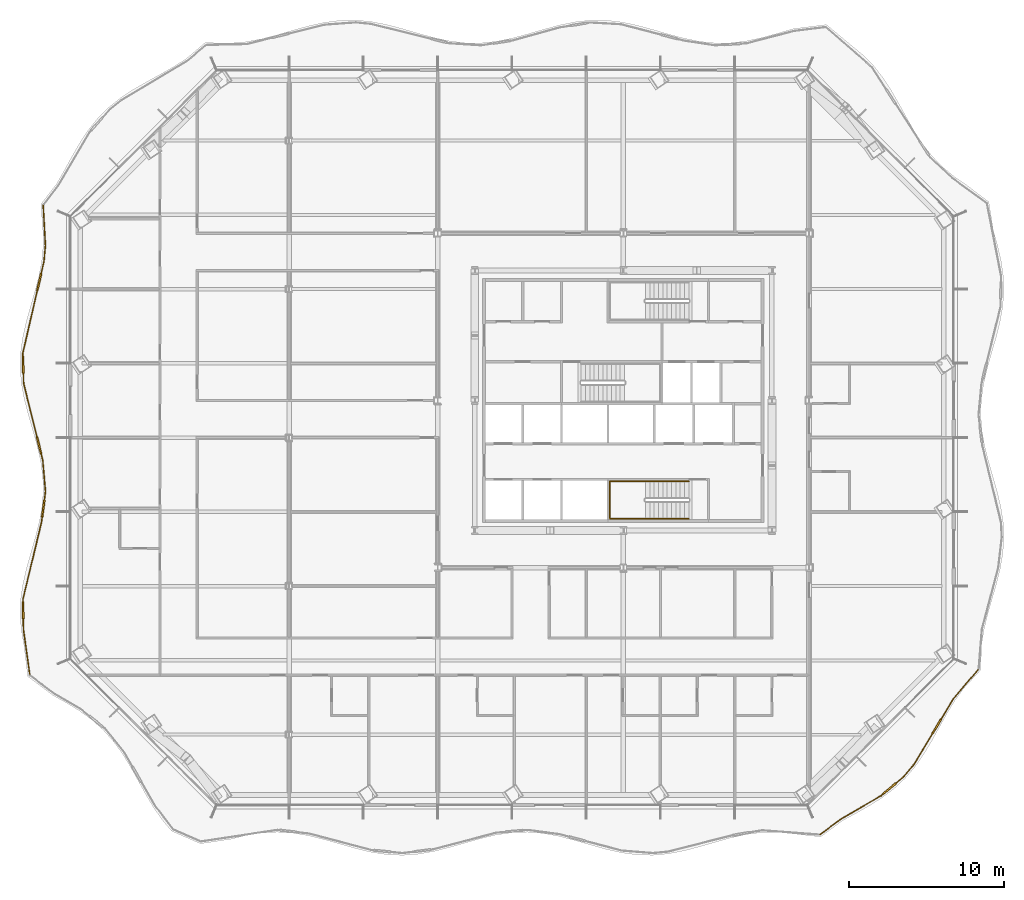
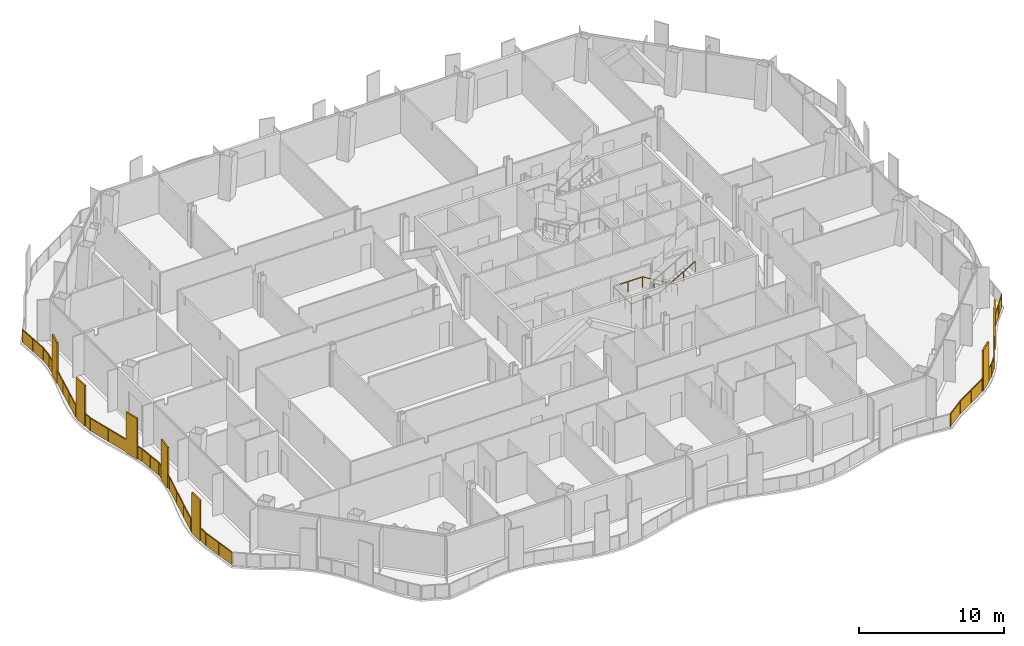
# One storey, part 16 of 20: 3 railings.
"""IFC4 building model written with IfcOpenShell, lengths in metres."""

import ifcopenshell
import ifcopenshell.guid

model = None  # the IFC model being written
_history = None  # IfcOwnerHistory: only IFC2X3 demands one
_inside = {}  # id of a spatial element -> (the spatial element, [elements in it])
_under = {}  # id of a project, library or spatial element -> (it, [spatial elements below it])
_declared = {}  # id of a project -> (the project, [libraries it declares])
_typed = {}  # id of a type object -> (the type object, [elements of that type])
_made_of = {}  # id of a material, layer set ... -> (it, [elements and type objects made of it])


def new_model(schema):
    """Start an empty IFC model of exactly this schema.

    Asked for "IFC4X3", IfcOpenShell would pick the latest addendum, in which some entities
    have other attributes; the version numbers below select the first issue.
    IFC2X3 requires an IfcOwnerHistory on every rooted entity: one is made here for all.
    """
    global model, _history
    if schema == "IFC4X3":
        model = ifcopenshell.file(schema_version=(4, 3, 0, 0))
    else:
        model = ifcopenshell.file(schema=schema)
    _inside.clear()
    _under.clear()
    _declared.clear()
    _typed.clear()
    _made_of.clear()
    _history = None
    if model.schema == "IFC2X3":
        org = make("IfcOrganization", Name="unknown")
        user = make(
            "IfcPersonAndOrganization",
            ThePerson=make("IfcPerson", FamilyName="unknown"),
            TheOrganization=org,
        )
        app = make(
            "IfcApplication",
            ApplicationDeveloper=org,
            Version="unknown",
            ApplicationFullName="unknown",
            ApplicationIdentifier="unknown",
        )
        _history = make(
            "IfcOwnerHistory",
            OwningUser=user,
            OwningApplication=app,
            ChangeAction="ADDED",
            CreationDate=0,
        )
    return model


def make(cls, **values):
    """One entity of the class cls with the attributes given. An attribute that is None is left unset."""
    return model.create_entity(
        cls, **{name: value for name, value in values.items() if value is not None}
    )


def rooted(cls, **values):
    """An entity with a GlobalId (a new one), such as an element, a storey or a relation."""
    return make(cls, GlobalId=ifcopenshell.guid.new(), OwnerHistory=_history, **values)


def si_unit(unit_type, name, prefix=None):
    """IfcSIUnit, for example si_unit("LENGTHUNIT", "METRE", prefix="MILLI")."""
    return make("IfcSIUnit", UnitType=unit_type, Prefix=prefix, Name=name)


def assignment(units):
    """IfcUnitAssignment: the units of a project."""
    return None if units is None else make("IfcUnitAssignment", Units=units)


def point(xyz):
    """IfcCartesianPoint."""
    return None if xyz is None else make("IfcCartesianPoint", Coordinates=xyz)


def direction(xyz):
    """IfcDirection."""
    return None if xyz is None else make("IfcDirection", DirectionRatios=xyz)


def frame(location, z_axis=None, x_axis=None):
    """IfcAxis2Placement3D, a coordinate frame: its origin and axes. An axis left out is left unset."""
    return make(
        "IfcAxis2Placement3D",
        Location=point(location),
        Axis=direction(z_axis),
        RefDirection=direction(x_axis),
    )


def frame_2d(location, x_axis=None):
    """IfcAxis2Placement2D, a coordinate frame in the plane: its origin and x axis."""
    return make(
        "IfcAxis2Placement2D", Location=point(location), RefDirection=direction(x_axis)
    )


def origin():
    """The frame at (0, 0, 0) with its axes left unset."""
    return frame((0.0, 0.0, 0.0))


def origin_2d():
    """The frame at (0, 0) in the plane with its x axis left unset."""
    return frame_2d((0.0, 0.0))


def place(relative_to, where):
    """IfcLocalPlacement: puts the frame where relative to a parent placement (None: the world)."""
    return make(
        "IfcLocalPlacement", PlacementRelTo=relative_to, RelativePlacement=where
    )


def context(
    kind, dimensions, precision=None, world=None, true_north=None, identifier=None
):
    """IfcGeometricRepresentationContext, for example the 3D "Model" context."""
    return make(
        "IfcGeometricRepresentationContext",
        ContextIdentifier=identifier,
        ContextType=kind,
        CoordinateSpaceDimension=dimensions,
        Precision=precision,
        WorldCoordinateSystem=world,
        TrueNorth=true_north,
    )


def subcontext(parent, identifier, kind, view, scale=None):
    """IfcGeometricRepresentationSubContext, for example "Body" below "Model"."""
    return make(
        "IfcGeometricRepresentationSubContext",
        ContextIdentifier=identifier,
        ContextType=kind,
        ParentContext=parent,
        TargetScale=scale,
        TargetView=view,
    )


def project(units=None, contexts=None):
    """IfcProject with its units and contexts."""
    return rooted(
        "IfcProject",
        Name="project",
        RepresentationContexts=contexts,
        UnitsInContext=assignment(units),
    )


def spatial(cls, under=None, at=None, **own):
    """A site, building, storey or space (cls), placed at a placement, below another one or the project."""
    s = rooted(cls, ObjectPlacement=at, **own)
    if under is not None:
        _under.setdefault(under.id(), (under, []))[1].append(s)
    return s


def polyline(points):
    """IfcPolyline through the points."""
    return make("IfcPolyline", Points=[point(p) for p in points])


def profile(cls, at=None, kind="AREA", **sizes):
    """A parametric profile (cls). Its sizes go by their IFC names, for example OverallWidth=200.0."""
    return make(cls, ProfileType=kind, Position=at, **sizes)


def rectangle(**sizes):
    """IfcRectangleProfileDef."""
    return profile("IfcRectangleProfileDef", **sizes)


def outline(outer, holes=None, kind="AREA"):
    """IfcArbitraryClosedProfileDef: a profile drawn as a closed curve; with holes, ...WithVoids."""
    if holes is None:
        return make("IfcArbitraryClosedProfileDef", ProfileType=kind, OuterCurve=outer)
    return make(
        "IfcArbitraryProfileDefWithVoids",
        ProfileType=kind,
        OuterCurve=outer,
        InnerCurves=holes,
    )


def extrude(swept, where, along, depth):
    """IfcExtrudedAreaSolid: the profile swept, set in the frame where, extruded along a direction by depth."""
    return make(
        "IfcExtrudedAreaSolid",
        SweptArea=swept,
        Position=where,
        ExtrudedDirection=direction(along),
        Depth=depth,
    )


def shape(context_of_items, identifier, shape_type, items):
    """IfcShapeRepresentation: the items that make up one representation, for example the "Body"."""
    return make(
        "IfcShapeRepresentation",
        ContextOfItems=context_of_items,
        RepresentationIdentifier=identifier,
        RepresentationType=shape_type,
        Items=items,
    )


def material(Name=None, Category=None):
    """IfcMaterial."""
    return make("IfcMaterial", Name=Name, Category=Category)


def made_of(thing, what):
    """Note that an element or type object is made of a material, layer set ...; save() writes the relation."""
    if what is not None:
        _made_of.setdefault(what.id(), (what, []))[1].append(thing)
    return thing


def type_object(cls, material=None, **own):
    """A type object (cls), such as IfcWallType, which elements share."""
    return made_of(rooted(cls, **own), material)


def element(
    cls,
    number,
    at=None,
    inside=None,
    cuts=None,
    type_object=None,
    material=None,
    context=None,
    identifier="Body",
    shape_type=None,
    held_by="IfcProductDefinitionShape",
    body=None,
    shapes=None,
    **own,
):
    """One element of the class cls, such as IfcWall. Its Tag is "e" and its number.

    at: its placement. inside: the storey or other place that contains it. cuts: it is an
    opening in that element (IfcRelVoidsElement). A single representation is given by context,
    identifier, shape_type and body (its items); several are given by shapes. held_by: the class
    of the entity that holds the representations. save() writes the other relations.
    """
    e = rooted(cls, Tag="e%d" % number, ObjectPlacement=at, **own)
    if body is not None:
        shapes = [shape(context, identifier, shape_type, body)]
    if shapes is not None:
        e.Representation = make(held_by, Representations=shapes)
    if inside is not None:
        _inside.setdefault(inside.id(), (inside, []))[1].append(e)
    if cuts is not None:
        rooted(
            "IfcRelVoidsElement", RelatingBuildingElement=cuts, RelatedOpeningElement=e
        )
    if type_object is not None:
        _typed.setdefault(type_object.id(), (type_object, []))[1].append(e)
    return made_of(e, material)


def aggregate(whole, parts):
    """IfcRelAggregates: a whole, such as a stair, and the parts it consists of."""
    return rooted("IfcRelAggregates", RelatingObject=whole, RelatedObjects=parts)


def save(model, path):
    """Write the relations noted so far, then the file.

    IfcRelAggregates (storeys below a building ...), IfcRelContainedInSpatialStructure (elements
    in a storey), IfcRelDefinesByType, IfcRelAssociatesMaterial and IfcRelDeclares: one each for
    every whole, place, type object, material and project.
    """
    for whole, parts in _under.values():
        aggregate(whole, parts)
    for where, things in _inside.values():
        rooted(
            "IfcRelContainedInSpatialStructure",
            RelatedElements=things,
            RelatingStructure=where,
        )
    for kind, things in _typed.values():
        rooted("IfcRelDefinesByType", RelatedObjects=things, RelatingType=kind)
    for what, things in _made_of.values():
        rooted("IfcRelAssociatesMaterial", RelatedObjects=things, RelatingMaterial=what)
    for by, libraries in _declared.values():
        rooted("IfcRelDeclares", RelatingContext=by, RelatedDefinitions=libraries)
    model.write(path)


model = new_model("IFC4")

# Units and contexts
model_context = context("Model", 3, precision=1e-05, world=origin(), true_north=direction((0.0, 1.0)))
body_context = subcontext(model_context, "Body", "Model", "MODEL_VIEW")
ifc_project = project(units=[si_unit("LENGTHUNIT", "METRE"), si_unit("AREAUNIT", "SQUARE_METRE"), si_unit("VOLUMEUNIT", "CUBIC_METRE"), si_unit("PLANEANGLEUNIT", "RADIAN"), si_unit("MASSUNIT", "GRAM", prefix="KILO")], contexts=[model_context])

# Site, building, storey
site_placement = place(None, origin())
site = spatial("IfcSite", under=ifc_project, at=site_placement, CompositionType="ELEMENT")
building_placement = place(site_placement, origin())
building = spatial("IfcBuilding", under=site, at=building_placement, Name="Cairn Pilgrim Tower", CompositionType="ELEMENT")
storey_placement = place(building_placement, frame((0.0, 0.0, 87.0)))
storey = spatial("IfcBuildingStorey", under=building, at=storey_placement, Name="L20", CompositionType="ELEMENT", Elevation=87.0)

# Railings
ifc_material_1 = material(Name="Bronze anodised aluminium rail, posts and fin screens with laminated glass infill", Category="aluminium")
railing_type_1 = type_object("IfcRailingType", Name="BALCONY GUARD WITH FIN SCREENS", PredefinedType="GUARDRAIL", material=ifc_material_1)
railing_1_placement = place(storey_placement, frame((19.905029296875, -25.6552734375, 0.0)))
element("IfcRailing", 1, at=railing_1_placement, inside=storey, type_object=railing_type_1, Name="Balcony guard BGF-2 with fin screens", PredefinedType="GUARDRAIL", context=body_context, shape_type="SweptSolid", body=[
    extrude(rectangle(XDim=0.050048828125, YDim=0.050048828125, at=origin_2d()), frame((0.0, 0.0, 1.0751953125), z_axis=(0.803950989121, 0.594695558326, 0.0), x_axis=(-0.594695558326, 0.803950989121, 0.0)), (0.0, 0.0, 1.0), 1.690673828125),
    extrude(rectangle(XDim=0.050048828125, YDim=0.050048828125, at=origin_2d()), frame((1.359130859375, 1.00537109375, 1.0751953125), z_axis=(0.864320719994, 0.502941043253, 0.0), x_axis=(-0.502941043253, 0.864320719994, 0.0)), (0.0, 0.0, 1.0), 3.00439453125),
    extrude(rectangle(XDim=1.10009765625, YDim=0.110107421875, at=origin_2d()), frame((4.490234375, 2.968505859375, 0.0), z_axis=(0.0, 0.0, 1.0), x_axis=(0.76350197981, 0.645805486835, 0.0)), (0.0, 0.0, 1.0), 3.39990234375),
    extrude(rectangle(XDim=0.050048828125, YDim=0.050048828125, at=origin_2d()), frame((3.955810546875, 2.516357421875, 1.0751953125), z_axis=(0.76350197981, 0.645805486835, 0.0), x_axis=(-0.645805486835, 0.76350197981, 0.0)), (0.0, 0.0, 1.0), 0.150146484375),
    extrude(rectangle(XDim=0.050048828125, YDim=0.050048828125, at=origin_2d()), frame((4.91015625, 3.32373046875, 1.0751953125), z_axis=(0.76350197981, 0.645805486835, 0.0), x_axis=(-0.645805486835, 0.76350197981, 0.0)), (0.0, 0.0, 1.0), 0.6708984375),
    extrude(rectangle(XDim=0.050048828125, YDim=0.050048828125, at=origin_2d()), frame((5.42236328125, 3.7568359375, 1.0751953125), z_axis=(0.648604602587, 0.761125528085, 0.0), x_axis=(-0.761125528085, 0.648604602587, 0.0)), (0.0, 0.0, 1.0), 0.9482421875),
    extrude(rectangle(XDim=1.10009765625, YDim=0.110107421875, at=origin_2d()), frame((7.539794921875, 6.977783203125, 0.0), z_axis=(0.0, 0.0, 1.0), x_axis=(0.515228467173, 0.857052872706, 0.0)), (0.0, 0.0, 1.0), 3.39990234375),
    extrude(rectangle(XDim=0.050048828125, YDim=0.050048828125, at=origin_2d()), frame((6.037353515625, 4.478515625, 1.0751953125), z_axis=(0.515228467173, 0.857052872706, 0.0), x_axis=(-0.857052872706, 0.515228467173, 0.0)), (0.0, 0.0, 1.0), 2.365966796875),
    extrude(rectangle(XDim=0.050048828125, YDim=0.050048828125, at=origin_2d()), frame((7.8232421875, 7.448974609375, 1.0751953125), z_axis=(0.515228467173, 0.857052872706, 0.0), x_axis=(-0.857052872706, 0.515228467173, 0.0)), (0.0, 0.0, 1.0), 1.53076171875),
    extrude(rectangle(XDim=0.050048828125, YDim=0.050048828125, at=origin_2d()), frame((8.61181640625, 8.760986328125, 1.0751953125), z_axis=(0.646366879068, 0.763026773871, 0.0), x_axis=(-0.763026773871, 0.646366879068, 0.0)), (0.0, 0.0, 1.0), 2.4736328125),
    extrude(rectangle(XDim=0.050048828125, YDim=0.050048828125, at=origin_2d()), origin(), (0.0, 0.0, 1.0), 1.050048828125),
    extrude(rectangle(XDim=0.050048828125, YDim=0.050048828125, at=origin_2d()), frame((1.359130859375, 1.00537109375, 0.0)), (0.0, 0.0, 1.0), 1.050048828125),
    extrude(rectangle(XDim=0.050048828125, YDim=0.050048828125, at=origin_2d()), frame((2.657470703125, 1.7607421875, 0.0)), (0.0, 0.0, 1.0), 1.050048828125),
    extrude(rectangle(XDim=0.050048828125, YDim=0.050048828125, at=origin_2d()), frame((3.955810546875, 2.516357421875, 0.0)), (0.0, 0.0, 1.0), 1.050048828125),
    extrude(rectangle(XDim=0.050048828125, YDim=0.050048828125, at=origin_2d()), frame((4.05126953125, 2.59716796875, 0.0)), (0.0, 0.0, 1.0), 1.050048828125),
    extrude(rectangle(XDim=0.050048828125, YDim=0.050048828125, at=origin_2d()), frame((4.92919921875, 3.33984375, 0.0)), (0.0, 0.0, 1.0), 1.050048828125),
    extrude(rectangle(XDim=0.050048828125, YDim=0.050048828125, at=origin_2d()), frame((5.42236328125, 3.7568359375, 0.0)), (0.0, 0.0, 1.0), 1.050048828125),
    extrude(rectangle(XDim=0.050048828125, YDim=0.050048828125, at=origin_2d()), frame((6.037353515625, 4.478515625, 0.0)), (0.0, 0.0, 1.0), 1.050048828125),
    extrude(rectangle(XDim=0.050048828125, YDim=0.050048828125, at=origin_2d()), frame((6.640380859375, 5.481689453125, 0.0)), (0.0, 0.0, 1.0), 1.050048828125),
    extrude(rectangle(XDim=0.050048828125, YDim=0.050048828125, at=origin_2d()), frame((7.243408203125, 6.48486328125, 0.0)), (0.0, 0.0, 1.0), 1.050048828125),
    extrude(rectangle(XDim=0.050048828125, YDim=0.050048828125, at=origin_2d()), frame((7.8359375, 7.470458984375, 0.0)), (0.0, 0.0, 1.0), 1.050048828125),
    extrude(rectangle(XDim=0.050048828125, YDim=0.050048828125, at=origin_2d()), frame((8.61181640625, 8.760986328125, 0.0)), (0.0, 0.0, 1.0), 1.050048828125),
    extrude(rectangle(XDim=0.050048828125, YDim=0.050048828125, at=origin_2d()), frame((9.4111328125, 9.70458984375, 0.0)), (0.0, 0.0, 1.0), 1.050048828125),
    extrude(rectangle(XDim=0.050048828125, YDim=0.050048828125, at=origin_2d()), frame((10.210693359375, 10.6484375, 0.0)), (0.0, 0.0, 1.0), 1.050048828125),
    extrude(outline(polyline([(0.02490234375, 0.0), (1.66552734375, 0.0), (1.66552734375, 1.050048828125), (0.02490234375, 1.050048828125), (0.02490234375, 0.0)])), frame((-0.003662109375, 0.0048828125, 0.0), z_axis=(0.594695558326, -0.803950989121, 0.0), x_axis=(0.803950989121, 0.594695558326, 0.0)), (0.0, 0.0, 1.0), 0.011962890625),
    extrude(outline(polyline([(0.02490234375, 0.0), (1.47705078125, 0.0), (1.47705078125, 1.050048828125), (0.02490234375, 1.050048828125), (0.02490234375, 0.0)])), frame((1.356201171875, 1.010498046875, 0.0), z_axis=(0.502941043253, -0.864320719994, 0.0), x_axis=(0.864320719994, 0.502941043253, 0.0)), (0.0, 0.0, 1.0), 0.011962890625),
    extrude(outline(polyline([(0.02490234375, 0.0), (1.47705078125, 0.0), (1.47705078125, 1.050048828125), (0.02490234375, 1.050048828125), (0.02490234375, 0.0)])), frame((2.654541015625, 1.76611328125, 0.0), z_axis=(0.502941043253, -0.864320719994, 0.0), x_axis=(0.864320719994, 0.502941043253, 0.0)), (0.0, 0.0, 1.0), 0.011962890625),
    extrude(outline(polyline([(0.02490234375, 0.0), (0.10009765625, 0.0), (0.10009765625, 1.050048828125), (0.02490234375, 1.050048828125), (0.02490234375, 0.0)])), frame((3.951904296875, 2.52099609375, 0.0), z_axis=(0.645805486835, -0.76350197981, 0.0), x_axis=(0.76350197981, 0.645805486835, 0.0)), (0.0, 0.0, 1.0), 0.011962890625),
    extrude(outline(polyline([(0.02490234375, 0.0), (0.620849609375, 0.0), (0.620849609375, 1.050048828125), (0.02490234375, 1.050048828125), (0.02490234375, 0.0)])), frame((4.925537109375, 3.344482421875, 0.0), z_axis=(0.645805486835, -0.76350197981, 0.0), x_axis=(0.76350197981, 0.645805486835, 0.0)), (0.0, 0.0, 1.0), 0.011962890625),
    extrude(outline(polyline([(0.02490234375, 0.0), (0.923095703125, 0.0), (0.923095703125, 1.050048828125), (0.02490234375, 1.050048828125), (0.02490234375, 0.0)])), frame((5.417724609375, 3.7607421875, 0.0), z_axis=(0.761125528085, -0.648604602587, 0.0), x_axis=(0.648604602587, 0.761125528085, 0.0)), (0.0, 0.0, 1.0), 0.011962890625),
    extrude(outline(polyline([(0.02490234375, 0.0), (1.1455078125, 0.0), (1.1455078125, 1.050048828125), (0.02490234375, 1.050048828125), (0.02490234375, 0.0)])), frame((6.0322265625, 4.481689453125, 0.0), z_axis=(0.857052872706, -0.515228467173, 0.0), x_axis=(0.515228467173, 0.857052872706, 0.0)), (0.0, 0.0, 1.0), 0.011962890625),
    extrude(outline(polyline([(0.02490234375, 0.0), (1.1455078125, 0.0), (1.1455078125, 1.050048828125), (0.02490234375, 1.050048828125), (0.02490234375, 0.0)])), frame((6.63525390625, 5.48486328125, 0.0), z_axis=(0.857052872706, -0.515228467173, 0.0), x_axis=(0.515228467173, 0.857052872706, 0.0)), (0.0, 0.0, 1.0), 0.011962890625),
    extrude(outline(polyline([(0.02490234375, 0.0), (1.480712890625, 0.0), (1.480712890625, 1.050048828125), (0.02490234375, 1.050048828125), (0.02490234375, 0.0)])), frame((7.830810546875, 7.4736328125, 0.0), z_axis=(0.857052872706, -0.515228467173, 0.0), x_axis=(0.515228467173, 0.857052872706, 0.0)), (0.0, 0.0, 1.0), 0.011962890625),
    extrude(outline(polyline([(0.02490234375, 0.0), (1.2119140625, 0.0), (1.2119140625, 1.050048828125), (0.02490234375, 1.050048828125), (0.02490234375, 0.0)])), frame((8.607177734375, 8.764892578125, 0.0), z_axis=(0.763026773871, -0.646366879068, 0.0), x_axis=(0.646366879068, 0.763026773871, 0.0)), (0.0, 0.0, 1.0), 0.011962890625),
    extrude(outline(polyline([(0.02490234375, 0.0), (1.2119140625, 0.0), (1.2119140625, 1.050048828125), (0.02490234375, 1.050048828125), (0.02490234375, 0.0)])), frame((9.40673828125, 9.70849609375, 0.0), z_axis=(0.763026773871, -0.646366879068, 0.0), x_axis=(0.646366879068, 0.763026773871, 0.0)), (0.0, 0.0, 1.0), 0.011962890625),
])
railing_2_placement = place(storey_placement, frame((-30.302734375, 15.038330078125, 0.0)))
element("IfcRailing", 2, at=railing_2_placement, inside=storey, type_object=railing_type_1, Name="Balcony guard BGF-7 with fin screens", PredefinedType="GUARDRAIL", context=body_context, shape_type="SweptSolid", body=[
    extrude(rectangle(XDim=0.050048828125, YDim=0.050048828125, at=origin_2d()), frame((0.0, 0.0, 1.0751953125), z_axis=(0.056040406558, -0.998428501613, 0.0), x_axis=(0.998428501613, 0.056040406558, 0.0)), (0.0, 0.0, 1.0), 2.63134765625),
    extrude(rectangle(XDim=0.050048828125, YDim=0.050048828125, at=origin_2d()), frame((0.1474609375, -2.627197265625, 1.0751953125), z_axis=(-0.091573175168, -0.995798349863, 0.0), x_axis=(0.995798349863, -0.091573175168, 0.0)), (0.0, 0.0, 1.0), 1.0185546875),
    extrude(rectangle(XDim=1.10009765625, YDim=0.110107421875, at=origin_2d()), frame((-0.253173828125, -4.9765625, 0.0), z_axis=(0.0, 0.0, 1.0), x_axis=(-0.224409735924, -0.974494879629, 0.0)), (0.0, 0.0, 1.0), 3.39990234375),
    extrude(rectangle(XDim=0.050048828125, YDim=0.050048828125, at=origin_2d()), frame((0.05419921875, -3.641357421875, 1.0751953125), z_axis=(-0.224409735924, -0.974494879629, 0.0), x_axis=(0.974494879629, -0.224409735924, 0.0)), (0.0, 0.0, 1.0), 0.820068359375),
    extrude(rectangle(XDim=0.050048828125, YDim=0.050048828125, at=origin_2d()), frame((-0.376708984375, -5.512451171875, 1.0751953125), z_axis=(-0.224409735924, -0.974494879629, 0.0), x_axis=(0.974494879629, -0.224409735924, 0.0)), (0.0, 0.0, 1.0), 4.185302734375),
    extrude(rectangle(XDim=1.10009765625, YDim=0.110107421875, at=origin_2d()), frame((-1.29443359375, -10.32763671875, 0.0), z_axis=(0.0, 0.0, 1.0), x_axis=(0.029270396453, -0.999571530153, 0.0)), (0.0, 0.0, 1.0), 3.39990234375),
    extrude(rectangle(XDim=0.050048828125, YDim=0.050048828125, at=origin_2d()), frame((-1.31591796875, -9.591064453125, 1.0751953125), z_axis=(0.029270396453, -0.999571530153, 0.0), x_axis=(0.999571530153, 0.029270396453, 0.0)), (0.0, 0.0, 1.0), 0.18701171875),
    extrude(rectangle(XDim=0.050048828125, YDim=0.050048828125, at=origin_2d()), frame((-1.2783203125, -10.87744140625, 1.0751953125), z_axis=(0.029270396453, -0.999571530153, 0.0), x_axis=(0.999571530153, 0.029270396453, 0.0)), (0.0, 0.0, 1.0), 0.664794921875),
    extrude(rectangle(XDim=1.10009765625, YDim=0.110107421875, at=origin_2d()), frame((-0.264404296875, -15.5400390625, 0.0), z_axis=(0.0, 0.0, 1.0), x_axis=(0.241355607286, -0.970436742313, 0.0)), (0.0, 0.0, 1.0), 3.39990234375),
    extrude(rectangle(XDim=0.050048828125, YDim=0.050048828125, at=origin_2d()), frame((-1.2587890625, -11.5419921875, 1.0751953125), z_axis=(0.241355607286, -0.970436742313, 0.0), x_axis=(0.970436742313, 0.241355607286, 0.0)), (0.0, 0.0, 1.0), 3.56982421875),
    extrude(rectangle(XDim=0.050048828125, YDim=0.050048828125, at=origin_2d()), frame((-0.131591796875, -16.07373046875, 1.0751953125), z_axis=(0.241355607286, -0.970436742313, 0.0), x_axis=(0.970436742313, 0.241355607286, 0.0)), (0.0, 0.0, 1.0), 0.4423828125),
    extrude(rectangle(XDim=0.050048828125, YDim=0.050048828125, at=origin_2d()), frame((-0.02490234375, -16.503173828125, 1.0751953125), z_axis=(0.087062094713, -0.996202886798, 0.0), x_axis=(0.996202886798, 0.087062094713, 0.0)), (0.0, 0.0, 1.0), 2.021728515625),
    extrude(rectangle(XDim=1.10009765625, YDim=0.110107421875, at=origin_2d()), frame((0.0087890625, -19.611328125, 0.0), z_axis=(0.0, 0.0, 1.0), x_axis=(-0.12908693107, -0.991633281121, 0.0)), (0.0, 0.0, 1.0), 3.39990234375),
    extrude(rectangle(XDim=0.050048828125, YDim=0.050048828125, at=origin_2d()), frame((0.151123046875, -18.517333984375, 1.0751953125), z_axis=(-0.12908693107, -0.991633281121, 0.0), x_axis=(0.991633281121, -0.12908693107, 0.0)), (0.0, 0.0, 1.0), 0.55322265625),
    extrude(rectangle(XDim=0.050048828125, YDim=0.050048828125, at=origin_2d()), frame((-0.062255859375, -20.15673828125, 1.0751953125), z_axis=(-0.12908693107, -0.991633281121, 0.0), x_axis=(0.991633281121, -0.12908693107, 0.0)), (0.0, 0.0, 1.0), 0.374267578125),
    extrude(rectangle(XDim=0.050048828125, YDim=0.050048828125, at=origin_2d()), frame((-0.110595703125, -20.52783203125, 1.0751953125), z_axis=(-0.234570295902, -0.972099159695, 0.0), x_axis=(0.972099159695, -0.234570295902, 0.0)), (0.0, 0.0, 1.0), 5.0966796875),
    extrude(rectangle(XDim=1.10009765625, YDim=0.110107421875, at=origin_2d()), frame((-1.29443359375, -26.182373046875, 0.0), z_axis=(0.0, 0.0, 1.0), x_axis=(0.016830533433, -0.999858356541, 0.0)), (0.0, 0.0, 1.0), 3.39990234375),
    extrude(rectangle(XDim=0.050048828125, YDim=0.050048828125, at=origin_2d()), frame((-1.30615234375, -25.482421875, 1.0751953125), z_axis=(0.016830533433, -0.999858356541, 0.0), x_axis=(0.999858356541, 0.016830533433, 0.0)), (0.0, 0.0, 1.0), 0.150146484375),
    extrude(rectangle(XDim=0.050048828125, YDim=0.050048828125, at=origin_2d()), frame((-1.28515625, -26.732421875, 1.0751953125), z_axis=(0.016830533433, -0.999858356541, 0.0), x_axis=(0.999858356541, 0.016830533433, 0.0)), (0.0, 0.0, 1.0), 0.708251953125),
    extrude(rectangle(XDim=0.050048828125, YDim=0.050048828125, at=origin_2d()), frame((-1.273193359375, -27.4404296875, 1.0751953125), z_axis=(0.139010200771, -0.990290949207, 0.0), x_axis=(0.990290949207, 0.139010200771, 0.0)), (0.0, 0.0, 1.0), 2.920654296875),
    extrude(rectangle(XDim=0.050048828125, YDim=0.050048828125, at=origin_2d()), origin(), (0.0, 0.0, 1.0), 1.050048828125),
    extrude(rectangle(XDim=0.050048828125, YDim=0.050048828125, at=origin_2d()), frame((0.07373046875, -1.3134765625, 0.0)), (0.0, 0.0, 1.0), 1.050048828125),
    extrude(rectangle(XDim=0.050048828125, YDim=0.050048828125, at=origin_2d()), frame((0.1474609375, -2.627197265625, 0.0)), (0.0, 0.0, 1.0), 1.050048828125),
    extrude(rectangle(XDim=0.050048828125, YDim=0.050048828125, at=origin_2d()), frame((0.05419921875, -3.641357421875, 0.0)), (0.0, 0.0, 1.0), 1.050048828125),
    extrude(rectangle(XDim=0.050048828125, YDim=0.050048828125, at=origin_2d()), frame((-0.124267578125, -4.416015625, 0.0)), (0.0, 0.0, 1.0), 1.050048828125),
    extrude(rectangle(XDim=0.050048828125, YDim=0.050048828125, at=origin_2d()), frame((-0.38232421875, -5.536865234375, 0.0)), (0.0, 0.0, 1.0), 1.050048828125),
    extrude(rectangle(XDim=0.050048828125, YDim=0.050048828125, at=origin_2d()), frame((-0.693603515625, -6.88818359375, 0.0)), (0.0, 0.0, 1.0), 1.050048828125),
    extrude(rectangle(XDim=0.050048828125, YDim=0.050048828125, at=origin_2d()), frame((-1.004638671875, -8.23974609375, 0.0)), (0.0, 0.0, 1.0), 1.050048828125),
    extrude(rectangle(XDim=0.050048828125, YDim=0.050048828125, at=origin_2d()), frame((-1.31591796875, -9.591064453125, 0.0)), (0.0, 0.0, 1.0), 1.050048828125),
    extrude(rectangle(XDim=0.050048828125, YDim=0.050048828125, at=origin_2d()), frame((-1.311279296875, -9.7529296875, 0.0)), (0.0, 0.0, 1.0), 1.050048828125),
    extrude(rectangle(XDim=0.050048828125, YDim=0.050048828125, at=origin_2d()), frame((-1.277587890625, -10.90234375, 0.0)), (0.0, 0.0, 1.0), 1.050048828125),
    extrude(rectangle(XDim=0.050048828125, YDim=0.050048828125, at=origin_2d()), frame((-1.2587890625, -11.5419921875, 0.0)), (0.0, 0.0, 1.0), 1.050048828125),
    extrude(rectangle(XDim=0.050048828125, YDim=0.050048828125, at=origin_2d()), frame((-0.8310546875, -13.261962890625, 0.0)), (0.0, 0.0, 1.0), 1.050048828125),
    extrude(rectangle(XDim=0.050048828125, YDim=0.050048828125, at=origin_2d()), frame((-0.4033203125, -14.98193359375, 0.0)), (0.0, 0.0, 1.0), 1.050048828125),
    extrude(rectangle(XDim=0.050048828125, YDim=0.050048828125, at=origin_2d()), frame((-0.125732421875, -16.09814453125, 0.0)), (0.0, 0.0, 1.0), 1.050048828125),
    extrude(rectangle(XDim=0.050048828125, YDim=0.050048828125, at=origin_2d()), frame((-0.02490234375, -16.503173828125, 0.0)), (0.0, 0.0, 1.0), 1.050048828125),
    extrude(rectangle(XDim=0.050048828125, YDim=0.050048828125, at=origin_2d()), frame((0.06298828125, -17.51025390625, 0.0)), (0.0, 0.0, 1.0), 1.050048828125),
    extrude(rectangle(XDim=0.050048828125, YDim=0.050048828125, at=origin_2d()), frame((0.151123046875, -18.517333984375, 0.0)), (0.0, 0.0, 1.0), 1.050048828125),
    extrude(rectangle(XDim=0.050048828125, YDim=0.050048828125, at=origin_2d()), frame((0.0830078125, -19.041259765625, 0.0)), (0.0, 0.0, 1.0), 1.050048828125),
    extrude(rectangle(XDim=0.050048828125, YDim=0.050048828125, at=origin_2d()), frame((-0.0654296875, -20.181640625, 0.0)), (0.0, 0.0, 1.0), 1.050048828125),
    extrude(rectangle(XDim=0.050048828125, YDim=0.050048828125, at=origin_2d()), frame((-0.110595703125, -20.52783203125, 0.0)), (0.0, 0.0, 1.0), 1.050048828125),
    extrude(rectangle(XDim=0.050048828125, YDim=0.050048828125, at=origin_2d()), frame((-0.509033203125, -22.179443359375, 0.0)), (0.0, 0.0, 1.0), 1.050048828125),
    extrude(rectangle(XDim=0.050048828125, YDim=0.050048828125, at=origin_2d()), frame((-0.90771484375, -23.830810546875, 0.0)), (0.0, 0.0, 1.0), 1.050048828125),
    extrude(rectangle(XDim=0.050048828125, YDim=0.050048828125, at=origin_2d()), frame((-1.30615234375, -25.482421875, 0.0)), (0.0, 0.0, 1.0), 1.050048828125),
    extrude(rectangle(XDim=0.050048828125, YDim=0.050048828125, at=origin_2d()), frame((-1.303955078125, -25.607421875, 0.0)), (0.0, 0.0, 1.0), 1.050048828125),
    extrude(rectangle(XDim=0.050048828125, YDim=0.050048828125, at=origin_2d()), frame((-1.28466796875, -26.75732421875, 0.0)), (0.0, 0.0, 1.0), 1.050048828125),
    extrude(rectangle(XDim=0.050048828125, YDim=0.050048828125, at=origin_2d()), frame((-1.273193359375, -27.4404296875, 0.0)), (0.0, 0.0, 1.0), 1.050048828125),
    extrude(rectangle(XDim=0.050048828125, YDim=0.050048828125, at=origin_2d()), frame((-1.0703125, -28.88671875, 0.0)), (0.0, 0.0, 1.0), 1.050048828125),
    extrude(rectangle(XDim=0.050048828125, YDim=0.050048828125, at=origin_2d()), frame((-0.8671875, -30.332763671875, 0.0)), (0.0, 0.0, 1.0), 1.050048828125),
    extrude(outline(polyline([(0.02490234375, 0.0), (1.29052734375, 0.0), (1.29052734375, 1.050048828125), (0.02490234375, 1.050048828125), (0.02490234375, 0.0)])), frame((0.005859375, 0.000244140625, 0.0), z_axis=(-0.998428501613, -0.056040406558, 0.0), x_axis=(0.056040406558, -0.998428501613, 0.0)), (0.0, 0.0, 1.0), 0.011962890625),
    extrude(outline(polyline([(0.02490234375, 0.0), (1.29052734375, 0.0), (1.29052734375, 1.050048828125), (0.02490234375, 1.050048828125), (0.02490234375, 0.0)])), frame((0.07958984375, -1.313232421875, 0.0), z_axis=(-0.998428501613, -0.056040406558, 0.0), x_axis=(0.056040406558, -0.998428501613, 0.0)), (0.0, 0.0, 1.0), 0.011962890625),
    extrude(outline(polyline([(0.02490234375, 0.0), (0.993408203125, 0.0), (0.993408203125, 1.050048828125), (0.02490234375, 1.050048828125), (0.02490234375, 0.0)])), frame((0.1533203125, -2.627685546875, 0.0), z_axis=(-0.995798349863, 0.091573175168, 0.0), x_axis=(-0.091573175168, -0.995798349863, 0.0)), (0.0, 0.0, 1.0), 0.011962890625),
    extrude(outline(polyline([(0.02490234375, 0.0), (0.77001953125, 0.0), (0.77001953125, 1.050048828125), (0.02490234375, 1.050048828125), (0.02490234375, 0.0)])), frame((0.06005859375, -3.642578125, 0.0), z_axis=(-0.974494879629, 0.224409735924, 0.0), x_axis=(-0.224409735924, -0.974494879629, 0.0)), (0.0, 0.0, 1.0), 0.011962890625),
    extrude(outline(polyline([(0.02490234375, 0.0), (1.36181640625, 0.0), (1.36181640625, 1.050048828125), (0.02490234375, 1.050048828125), (0.02490234375, 0.0)])), frame((-0.37646484375, -5.5380859375, 0.0), z_axis=(-0.974494879629, 0.224409735924, 0.0), x_axis=(-0.224409735924, -0.974494879629, 0.0)), (0.0, 0.0, 1.0), 0.011962890625),
    extrude(outline(polyline([(0.02490234375, 0.0), (1.36181640625, 0.0), (1.36181640625, 1.050048828125), (0.02490234375, 1.050048828125), (0.02490234375, 0.0)])), frame((-0.687744140625, -6.8896484375, 0.0), z_axis=(-0.974494879629, 0.224409735924, 0.0), x_axis=(-0.224409735924, -0.974494879629, 0.0)), (0.0, 0.0, 1.0), 0.011962890625),
    extrude(outline(polyline([(0.02490234375, 0.0), (1.36181640625, 0.0), (1.36181640625, 1.050048828125), (0.02490234375, 1.050048828125), (0.02490234375, 0.0)])), frame((-0.998779296875, -8.240966796875, 0.0), z_axis=(-0.974494879629, 0.224409735924, 0.0), x_axis=(-0.224409735924, -0.974494879629, 0.0)), (0.0, 0.0, 1.0), 0.011962890625),
    extrude(outline(polyline([(0.02490234375, 0.0), (0.136962890625, 0.0), (0.136962890625, 1.050048828125), (0.02490234375, 1.050048828125), (0.02490234375, 0.0)])), frame((-1.31005859375, -9.5908203125, 0.0), z_axis=(-0.999571530153, -0.029270396453, 0.0), x_axis=(0.029270396453, -0.999571530153, 0.0)), (0.0, 0.0, 1.0), 0.011962890625),
    extrude(outline(polyline([(0.02490234375, 0.0), (0.61474609375, 0.0), (0.61474609375, 1.050048828125), (0.02490234375, 1.050048828125), (0.02490234375, 0.0)])), frame((-1.271484375, -10.90234375, 0.0), z_axis=(-0.999571530153, -0.029270396453, 0.0), x_axis=(0.029270396453, -0.999571530153, 0.0)), (0.0, 0.0, 1.0), 0.011962890625),
    extrude(outline(polyline([(0.02490234375, 0.0), (1.747314453125, 0.0), (1.747314453125, 1.050048828125), (0.02490234375, 1.050048828125), (0.02490234375, 0.0)])), frame((-1.2529296875, -11.54052734375, 0.0), z_axis=(-0.970436742313, -0.241355607286, 0.0), x_axis=(0.241355607286, -0.970436742313, 0.0)), (0.0, 0.0, 1.0), 0.011962890625),
    extrude(outline(polyline([(0.02490234375, 0.0), (1.747314453125, 0.0), (1.747314453125, 1.050048828125), (0.02490234375, 1.050048828125), (0.02490234375, 0.0)])), frame((-0.8251953125, -13.260498046875, 0.0), z_axis=(-0.970436742313, -0.241355607286, 0.0), x_axis=(0.241355607286, -0.970436742313, 0.0)), (0.0, 0.0, 1.0), 0.011962890625),
    extrude(outline(polyline([(0.02490234375, 0.0), (0.392333984375, 0.0), (0.392333984375, 1.050048828125), (0.02490234375, 1.050048828125), (0.02490234375, 0.0)])), frame((-0.119873046875, -16.0966796875, 0.0), z_axis=(-0.970436742313, -0.241355607286, 0.0), x_axis=(0.241355607286, -0.970436742313, 0.0)), (0.0, 0.0, 1.0), 0.011962890625),
    extrude(outline(polyline([(0.02490234375, 0.0), (0.98583984375, 0.0), (0.98583984375, 1.050048828125), (0.02490234375, 1.050048828125), (0.02490234375, 0.0)])), frame((-0.01904296875, -16.502685546875, 0.0), z_axis=(-0.996202886798, -0.087062094713, 0.0), x_axis=(0.087062094713, -0.996202886798, 0.0)), (0.0, 0.0, 1.0), 0.011962890625),
    extrude(outline(polyline([(0.02490234375, 0.0), (0.98583984375, 0.0), (0.98583984375, 1.050048828125), (0.02490234375, 1.050048828125), (0.02490234375, 0.0)])), frame((0.069091796875, -17.509765625, 0.0), z_axis=(-0.996202886798, -0.087062094713, 0.0), x_axis=(0.087062094713, -0.996202886798, 0.0)), (0.0, 0.0, 1.0), 0.011962890625),
    extrude(outline(polyline([(0.02490234375, 0.0), (0.503173828125, 0.0), (0.503173828125, 1.050048828125), (0.02490234375, 1.050048828125), (0.02490234375, 0.0)])), frame((0.156982421875, -18.51806640625, 0.0), z_axis=(-0.991633281121, 0.12908693107, 0.0), x_axis=(-0.12908693107, -0.991633281121, 0.0)), (0.0, 0.0, 1.0), 0.011962890625),
    extrude(outline(polyline([(0.02490234375, 0.0), (0.32421875, 0.0), (0.32421875, 1.050048828125), (0.02490234375, 1.050048828125), (0.02490234375, 0.0)])), frame((-0.0595703125, -20.182373046875, 0.0), z_axis=(-0.991633281121, 0.12908693107, 0.0), x_axis=(-0.12908693107, -0.991633281121, 0.0)), (0.0, 0.0, 1.0), 0.011962890625),
    extrude(outline(polyline([(0.02490234375, 0.0), (1.673828125, 0.0), (1.673828125, 1.050048828125), (0.02490234375, 1.050048828125), (0.02490234375, 0.0)])), frame((-0.104736328125, -20.529296875, 0.0), z_axis=(-0.972099159695, 0.234570295902, 0.0), x_axis=(-0.234570295902, -0.972099159695, 0.0)), (0.0, 0.0, 1.0), 0.011962890625),
    extrude(outline(polyline([(0.02490234375, 0.0), (1.673828125, 0.0), (1.673828125, 1.050048828125), (0.02490234375, 1.050048828125), (0.02490234375, 0.0)])), frame((-0.50341796875, -22.1806640625, 0.0), z_axis=(-0.972099159695, 0.234570295902, 0.0), x_axis=(-0.234570295902, -0.972099159695, 0.0)), (0.0, 0.0, 1.0), 0.011962890625),
    extrude(outline(polyline([(0.02490234375, 0.0), (1.673828125, 0.0), (1.673828125, 1.050048828125), (0.02490234375, 1.050048828125), (0.02490234375, 0.0)])), frame((-0.90185546875, -23.832275390625, 0.0), z_axis=(-0.972099159695, 0.234570295902, 0.0), x_axis=(-0.234570295902, -0.972099159695, 0.0)), (0.0, 0.0, 1.0), 0.011962890625),
    extrude(outline(polyline([(0.02490234375, 0.0), (0.10009765625, 0.0), (0.10009765625, 1.050048828125), (0.02490234375, 1.050048828125), (0.02490234375, 0.0)])), frame((-1.30029296875, -25.482421875, 0.0), z_axis=(-0.999858356541, -0.016830533433, 0.0), x_axis=(0.016830533433, -0.999858356541, 0.0)), (0.0, 0.0, 1.0), 0.011962890625),
    extrude(outline(polyline([(0.02490234375, 0.0), (0.658203125, 0.0), (0.658203125, 1.050048828125), (0.02490234375, 1.050048828125), (0.02490234375, 0.0)])), frame((-1.27880859375, -26.75732421875, 0.0), z_axis=(-0.999858356541, -0.016830533433, 0.0), x_axis=(0.016830533433, -0.999858356541, 0.0)), (0.0, 0.0, 1.0), 0.011962890625),
    extrude(outline(polyline([(0.02490234375, 0.0), (1.435302734375, 0.0), (1.435302734375, 1.050048828125), (0.02490234375, 1.050048828125), (0.02490234375, 0.0)])), frame((-1.267333984375, -27.439697265625, 0.0), z_axis=(-0.990290949207, -0.139010200771, 0.0), x_axis=(0.139010200771, -0.990290949207, 0.0)), (0.0, 0.0, 1.0), 0.011962890625),
    extrude(outline(polyline([(0.02490234375, 0.0), (1.435302734375, 0.0), (1.435302734375, 1.050048828125), (0.02490234375, 1.050048828125), (0.02490234375, 0.0)])), frame((-1.064208984375, -28.8857421875, 0.0), z_axis=(-0.990290949207, -0.139010200771, 0.0), x_axis=(0.139010200771, -0.990290949207, 0.0)), (0.0, 0.0, 1.0), 0.011962890625),
])
ifc_material_2 = material(Name="Painted steel", Category="steel")
railing_type_2 = type_object("IfcRailingType", Name="STAIR HANDRAIL 900", PredefinedType="HANDRAIL", material=ifc_material_2)
railing_3_placement = place(storey_placement, frame((11.425048828125, -2.824951171875, 0.16357421875)))
element("IfcRailing", 3, at=railing_3_placement, inside=storey, type_object=railing_type_2, Name="L20 ST-A stair handrail 1", PredefinedType="HANDRAIL", context=body_context, shape_type="SweptSolid", body=[
    extrude(rectangle(XDim=0.048095703125, YDim=0.048095703125, at=origin_2d()), frame((0.0, 0.0, 0.8759765625), z_axis=(-0.863360870873, 0.0, 0.504586966384), x_axis=(0.0, -1.0, 0.0)), (0.0, 0.0, 1.0), 3.2431640625),
    extrude(rectangle(XDim=0.048095703125, YDim=0.048095703125, at=origin_2d()), frame((-2.800048828125, 0.0, 2.51220703125), z_axis=(-1.0, 0.0, 0.0), x_axis=(0.0, -1.0, 0.0)), (0.0, 0.0, 1.0), 2.300048828125),
    extrude(rectangle(XDim=0.048095703125, YDim=0.048095703125, at=origin_2d()), frame((-5.10009765625, 0.0, 2.51220703125), z_axis=(0.0, -1.0, 0.0), x_axis=(1.0, 0.0, 0.0)), (0.0, 0.0, 1.0), 2.425048828125),
    extrude(rectangle(XDim=0.048095703125, YDim=0.048095703125, at=origin_2d()), frame((-5.10009765625, -2.425048828125, 2.51220703125), z_axis=(0.997480687736, 0.0, 0.070938548008), x_axis=(0.0, 1.0, 0.0)), (0.0, 0.0, 1.0), 2.305908203125),
    extrude(rectangle(XDim=0.048095703125, YDim=0.048095703125, at=origin_2d()), frame((-2.800048828125, -2.425048828125, 2.67578125), z_axis=(0.863360870873, 0.0, 0.504586966384), x_axis=(0.0, 1.0, 0.0)), (0.0, 0.0, 1.0), 3.2431640625),
    extrude(rectangle(XDim=0.0419921875, YDim=0.0419921875, at=origin_2d()), origin(), (0.0, 0.0, 1.0), 0.851806640625),
    extrude(rectangle(XDim=0.0419921875, YDim=0.0419921875, at=origin_2d()), frame((-0.933349609375, 0.0, 0.54541015625)), (0.0, 0.0, 1.0), 0.851806640625),
    extrude(rectangle(XDim=0.0419921875, YDim=0.0419921875, at=origin_2d()), frame((-1.86669921875, 0.0, 1.091064453125)), (0.0, 0.0, 1.0), 0.851806640625),
    extrude(rectangle(XDim=0.0419921875, YDim=0.0419921875, at=origin_2d()), frame((-2.800048828125, 0.0, 1.636474609375)), (0.0, 0.0, 1.0), 0.851806640625),
    extrude(rectangle(XDim=0.0419921875, YDim=0.0419921875, at=origin_2d()), frame((-3.9501953125, 0.0, 1.636474609375)), (0.0, 0.0, 1.0), 0.851806640625),
    extrude(rectangle(XDim=0.0419921875, YDim=0.0419921875, at=origin_2d()), frame((-5.10009765625, 0.0, 1.636474609375)), (0.0, 0.0, 1.0), 0.851806640625),
    extrude(rectangle(XDim=0.0419921875, YDim=0.0419921875, at=origin_2d()), frame((-5.10009765625, -0.808349609375, 1.636474609375)), (0.0, 0.0, 1.0), 0.851806640625),
    extrude(rectangle(XDim=0.0419921875, YDim=0.0419921875, at=origin_2d()), frame((-5.10009765625, -1.61669921875, 1.636474609375)), (0.0, 0.0, 1.0), 0.851806640625),
    extrude(rectangle(XDim=0.0419921875, YDim=0.0419921875, at=origin_2d()), frame((-5.10009765625, -2.425048828125, 1.636474609375)), (0.0, 0.0, 1.0), 0.851806640625),
    extrude(rectangle(XDim=0.0419921875, YDim=0.0419921875, at=origin_2d()), frame((-3.9501953125, -2.425048828125, 1.71826171875)), (0.0, 0.0, 1.0), 0.851806640625),
    extrude(rectangle(XDim=0.0419921875, YDim=0.0419921875, at=origin_2d()), frame((-2.800048828125, -2.425048828125, 1.800048828125)), (0.0, 0.0, 1.0), 0.851806640625),
    extrude(rectangle(XDim=0.0419921875, YDim=0.0419921875, at=origin_2d()), frame((-1.86669921875, -2.425048828125, 2.345458984375)), (0.0, 0.0, 1.0), 0.851806640625),
    extrude(rectangle(XDim=0.0419921875, YDim=0.0419921875, at=origin_2d()), frame((-0.933349609375, -2.425048828125, 2.89111328125)), (0.0, 0.0, 1.0), 0.851806640625),
    extrude(rectangle(XDim=0.0419921875, YDim=0.0419921875, at=origin_2d()), frame((0.0, -2.425048828125, 3.4365234375)), (0.0, 0.0, 1.0), 0.851806640625),
])

save(model, "model.ifc")
